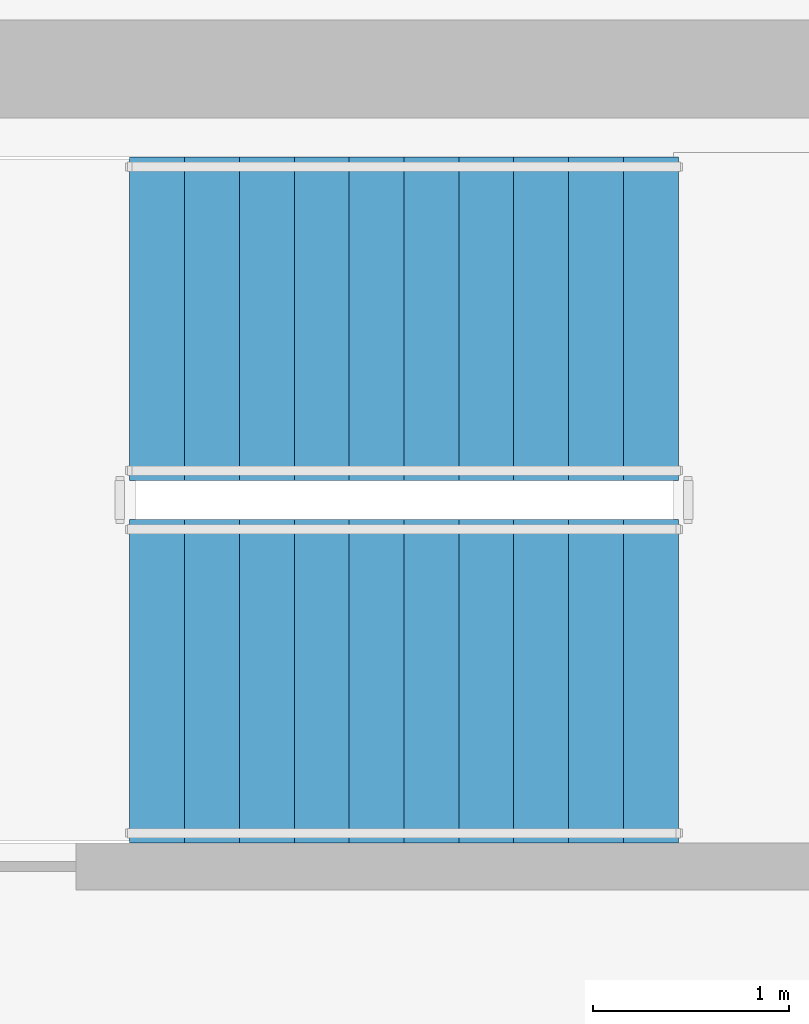
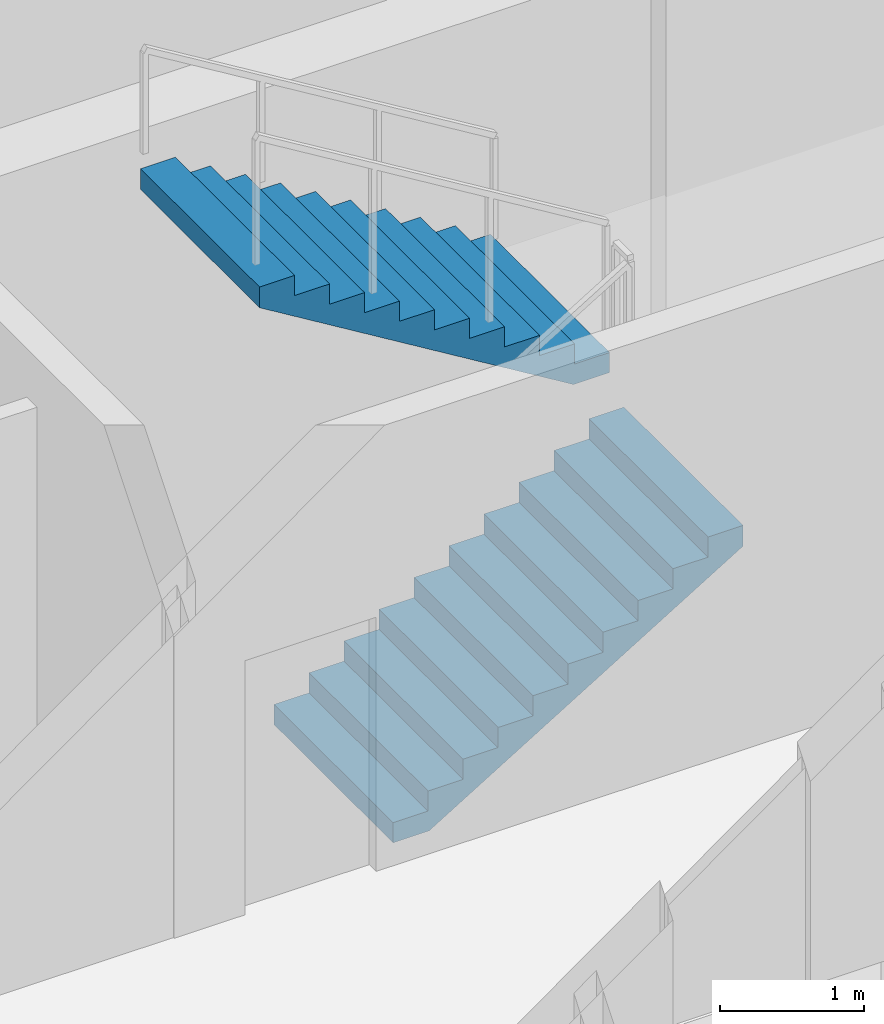
# One storey, part 27 of 32: 2 stair flights, 1 element without a shape of its own.
"""IFC4 building model written with IfcOpenShell, lengths in metres."""

from ifc_helpers import new_model, si_unit, direction, frame, origin, place, context, subcontext, project, spatial, polyline, outline, extrude, material, type_object, element, aggregate, save


model = new_model("IFC4")

# Units and contexts
model_context = context("Model", 3, precision=1e-05, world=origin(), true_north=direction((0.0, 1.0)))
body_context = subcontext(model_context, "Body", "Model", "MODEL_VIEW")
ifc_project = project(units=[si_unit("LENGTHUNIT", "METRE"), si_unit("AREAUNIT", "SQUARE_METRE"), si_unit("VOLUMEUNIT", "CUBIC_METRE"), si_unit("PLANEANGLEUNIT", "RADIAN"), si_unit("MASSUNIT", "GRAM", prefix="KILO")], contexts=[model_context])

# Site, building, storey
site_placement = place(None, origin())
site = spatial("IfcSite", under=ifc_project, at=site_placement, CompositionType="ELEMENT")
building_placement = place(site_placement, origin())
building = spatial("IfcBuilding", under=site, at=building_placement, Name="Haldenkirk Collegiate Tower", CompositionType="ELEMENT")
storey_placement = place(building_placement, frame((0.0, 0.0, 185.699951171875)))
storey = spatial("IfcBuildingStorey", under=building, at=storey_placement, Name="L46", CompositionType="ELEMENT", Elevation=185.699951171875)

# Stair, stair flights
ifc_material = material(Name="Concrete f'c 40 MPa", Category="concrete")
stair_type = type_object("IfcStairType", Name="STR-DOGLEG-1650", PredefinedType="HALF_TURN_STAIR", material=ifc_material)
stair_placement = place(storey_placement, origin())
stair = element("IfcStair", 1, at=stair_placement, inside=storey, type_object=stair_type, Name="L46 Core Exit Stair ST-3", PredefinedType="HALF_TURN_STAIR")
stair_flight_type = type_object("IfcStairFlightType", Name="STF-FLIGHT-1650", PredefinedType="STRAIGHT", material=ifc_material)
stair_flight_1_placement = place(storey_placement, frame((33.64990234375, 30.875, 0.0), z_axis=(0.0, 0.0, 1.0), x_axis=(1.0, 0.0, 0.0)))
stair_flight_1 = element("IfcStairFlight", 2, at=stair_flight_1_placement, type_object=stair_flight_type, Name="ST-3 flight 1", NumberOfRisers=11, NumberOfTreads=10, PredefinedType="STRAIGHT", RiserHeight=0.170454545, TreadLength=0.28, context=body_context, shape_type="SweptSolid", body=[
    extrude(outline(polyline([(0.0, 0.0), (0.0, 0.17041015625), (0.280029296875, 0.17041015625), (0.280029296875, 0.3408203125), (0.56005859375, 0.3408203125), (0.56005859375, 0.511474609375), (0.840087890625, 0.511474609375), (0.840087890625, 0.681884765625), (1.1201171875, 0.681884765625), (1.1201171875, 0.852294921875), (1.39990234375, 0.852294921875), (1.39990234375, 1.022705078125), (1.679931640625, 1.022705078125), (1.679931640625, 1.193115234375), (1.9599609375, 1.193115234375), (1.9599609375, 1.363525390625), (2.239990234375, 1.363525390625), (2.239990234375, 1.5341796875), (2.52001953125, 1.5341796875), (2.52001953125, 1.70458984375), (2.800048828125, 1.70458984375), (2.800048828125, 1.875), (2.800048828125, 1.529052734375), (0.288330078125, 0.0), (0.0, 0.0)])), frame((0.0, 0.824951171875, 0.0), z_axis=(0.0, -1.0, 0.0), x_axis=(1.0, 0.0, 0.0)), (0.0, 0.0, 1.0), 1.64990234375),
])
stair_flight_2_placement = place(storey_placement, frame((36.449951171875, 32.72509765625, 1.875), z_axis=(0.0, 0.0, 1.0), x_axis=(-1.0, 0.0, 0.0)))
stair_flight_2 = element("IfcStairFlight", 3, at=stair_flight_2_placement, type_object=stair_flight_type, Name="ST-3 flight 2", NumberOfRisers=11, NumberOfTreads=10, PredefinedType="STRAIGHT", RiserHeight=0.170454545, TreadLength=0.28, context=body_context, shape_type="SweptSolid", body=[
    extrude(outline(polyline([(0.0, 0.0), (0.0, 0.17041015625), (0.280029296875, 0.17041015625), (0.280029296875, 0.3408203125), (0.56005859375, 0.3408203125), (0.56005859375, 0.511474609375), (0.840087890625, 0.511474609375), (0.840087890625, 0.681884765625), (1.1201171875, 0.681884765625), (1.1201171875, 0.852294921875), (1.39990234375, 0.852294921875), (1.39990234375, 1.022705078125), (1.679931640625, 1.022705078125), (1.679931640625, 1.193115234375), (1.9599609375, 1.193115234375), (1.9599609375, 1.363525390625), (2.239990234375, 1.363525390625), (2.239990234375, 1.5341796875), (2.52001953125, 1.5341796875), (2.52001953125, 1.70458984375), (2.800048828125, 1.70458984375), (2.800048828125, 1.875), (2.800048828125, 1.529052734375), (0.288330078125, 0.0), (0.0, 0.0)])), frame((0.0, 0.824951171875, 0.0), z_axis=(0.0, -1.0, 0.0), x_axis=(1.0, 0.0, 0.0)), (0.0, 0.0, 1.0), 1.64990234375),
])
aggregate(stair, [stair_flight_1, stair_flight_2])

save(model, "model.ifc")
